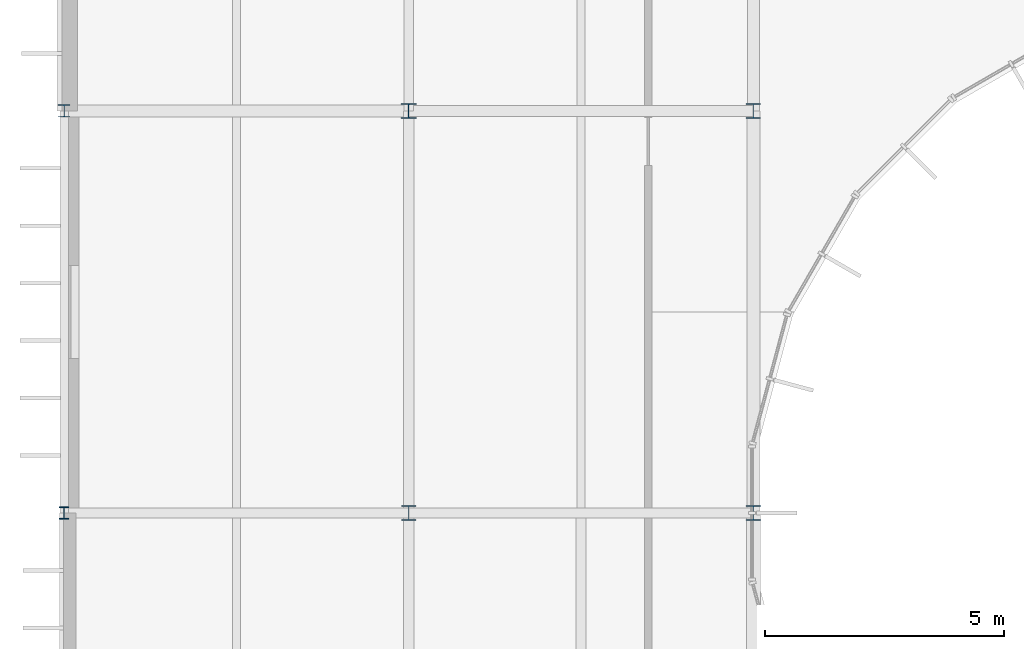
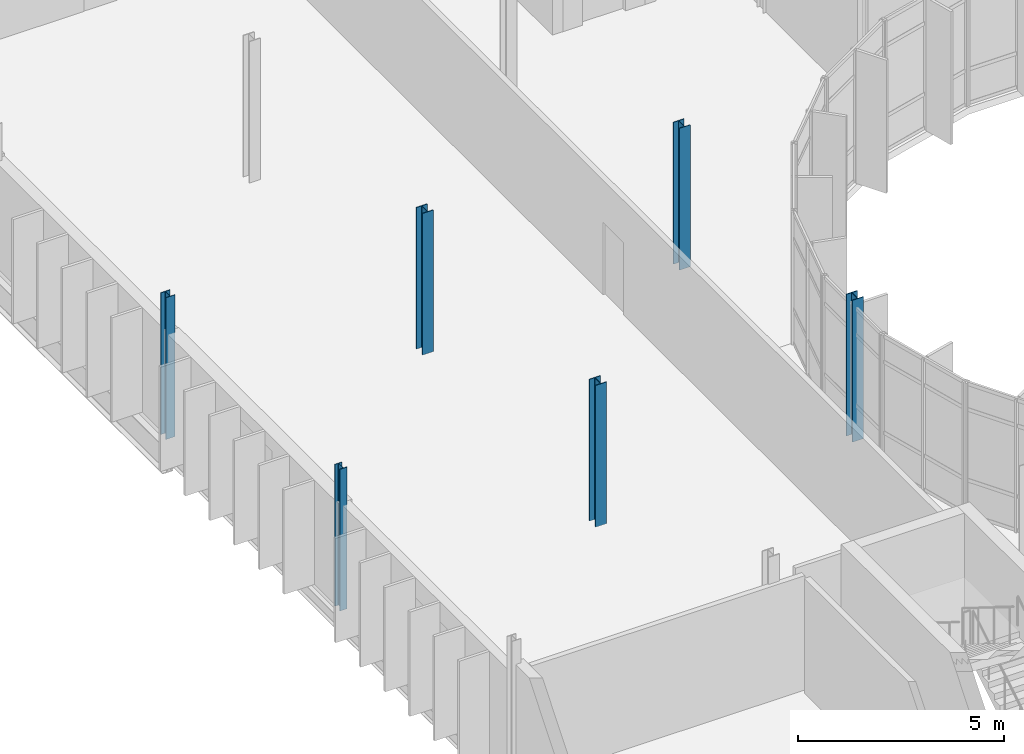
# One storey, part 6 of 61: 6 columns.
"""IFC4 building model written with IfcOpenShell, lengths in metres."""

from ifc_helpers import new_model, si_unit, direction, frame, origin, origin_2d, place, context, subcontext, project, spatial, i_section, extrude, material, material_profile, profile_set, type_object, element, save


model = new_model("IFC4")

# Units and contexts
model_context = context("Model", 3, precision=1e-05, world=origin(), true_north=direction((0.0, 1.0)))
body_context = subcontext(model_context, "Body", "Model", "MODEL_VIEW")
ifc_project = project(units=[si_unit("LENGTHUNIT", "METRE"), si_unit("AREAUNIT", "SQUARE_METRE"), si_unit("VOLUMEUNIT", "CUBIC_METRE"), si_unit("PLANEANGLEUNIT", "RADIAN"), si_unit("MASSUNIT", "GRAM", prefix="KILO")], contexts=[model_context])

# Site, building, storey
site_placement = place(None, origin())
site = spatial("IfcSite", under=ifc_project, at=site_placement, CompositionType="ELEMENT")
building_placement = place(site_placement, origin())
building = spatial("IfcBuilding", under=site, at=building_placement, Name="Qelthora Terrace Specialist Clinic", CompositionType="ELEMENT")
storey_placement = place(building_placement, frame((0.0, 0.0, 13.199951171875)))
storey = spatial("IfcBuildingStorey", under=building, at=storey_placement, Name="L03", CompositionType="ELEMENT", Elevation=13.199951171875)

# Columns
ifc_material = material(Name="Steel S355", Category="steel")
ifc_material_profile_1 = material_profile(ifc_material, i_section(OverallWidth=0.2041015625, OverallDepth=0.257080078125, WebThickness=0.0087890625, FlangeThickness=0.015625, FilletRadius=0.012939453125, at=origin_2d()), Name="W250X67")
ifc_profile_set_1 = profile_set([ifc_material_profile_1], Name="Steel S355")
column_type_1 = type_object("IfcColumnType", Name="COL-W250X67", PredefinedType="COLUMN", material=ifc_profile_set_1)
column_1_placement = place(storey_placement, frame((0.0, 84.0, 0.0), z_axis=(0.0, 0.0, 1.0), x_axis=(1.0, 0.0, 0.0)))
element("IfcColumn", 1, at=column_1_placement, inside=storey, type_object=column_type_1, Name="Column L03-011", PredefinedType="COLUMN", context=body_context, shape_type="SweptSolid", body=[
    extrude(i_section(OverallWidth=0.2041015625, OverallDepth=0.257080078125, WebThickness=0.0087890625, FlangeThickness=0.015625, FilletRadius=0.012939453125, at=origin_2d()), origin(), (0.0, 0.0, 1.0), 4.199951171875),
])
ifc_material_profile_2 = material_profile(ifc_material, i_section(OverallWidth=0.256103515625, OverallDepth=0.260009765625, WebThickness=0.0107421875, FlangeThickness=0.017333984375, FilletRadius=0.012939453125, at=origin_2d()), Name="W250X89")
ifc_profile_set_2 = profile_set([ifc_material_profile_2], Name="Steel S355")
column_type_2 = type_object("IfcColumnType", Name="COL-W250X89", PredefinedType="COLUMN", material=ifc_profile_set_2)
column_2_placement = place(storey_placement, frame((0.0, 92.39990234375, 0.0), z_axis=(0.0, 0.0, 1.0), x_axis=(1.0, 0.0, 0.0)))
element("IfcColumn", 2, at=column_2_placement, inside=storey, type_object=column_type_2, Name="Column L03-012", PredefinedType="COLUMN", context=body_context, shape_type="SweptSolid", body=[
    extrude(i_section(OverallWidth=0.256103515625, OverallDepth=0.260009765625, WebThickness=0.0107421875, FlangeThickness=0.017333984375, FilletRadius=0.012939453125, at=origin_2d()), origin(), (0.0, 0.0, 1.0), 4.199951171875),
])
ifc_material_profile_3 = material_profile(ifc_material, i_section(OverallWidth=0.305908203125, OverallDepth=0.31103515625, WebThickness=0.010986328125, FlangeThickness=0.01708984375, FilletRadius=0.014892578125, at=origin_2d()), Name="W310X107")
ifc_profile_set_3 = profile_set([ifc_material_profile_3], Name="Steel S355")
column_type_3 = type_object("IfcColumnType", Name="COL-W310X107", PredefinedType="COLUMN", material=ifc_profile_set_3)
column_3_placement = place(storey_placement, frame((14.39990234375, 92.39990234375, 0.0), z_axis=(0.0, 0.0, 1.0), x_axis=(1.0, 0.0, 0.0)))
element("IfcColumn", 3, at=column_3_placement, inside=storey, type_object=column_type_3, Name="Column L03-040", PredefinedType="COLUMN", context=body_context, shape_type="SweptSolid", body=[
    extrude(i_section(OverallWidth=0.305908203125, OverallDepth=0.31103515625, WebThickness=0.010986328125, FlangeThickness=0.01708984375, FilletRadius=0.014892578125, at=origin_2d()), origin(), (0.0, 0.0, 1.0), 4.199951171875),
])
ifc_material_profile_4 = material_profile(ifc_material, i_section(OverallWidth=0.30810546875, OverallDepth=0.318115234375, WebThickness=0.01318359375, FlangeThickness=0.0205078125, FilletRadius=0.01611328125, at=origin_2d()), Name="W310X129")
ifc_profile_set_4 = profile_set([ifc_material_profile_4], Name="Steel S355")
column_type_4 = type_object("IfcColumnType", Name="COL-W310X129", PredefinedType="COLUMN", material=ifc_profile_set_4)
for number, where, z_axis, x_axis, name in (
    (4, (7.199951171875, 84.0, 0.0), (0.0, 0.0, 1.0), (1.0, 0.0, 0.0), "Column L03-025"),
    (5, (14.39990234375, 84.0, 0.0), (0.0, 0.0, 1.0), (1.0, 0.0, 0.0), "Column L03-039"),
):
    element("IfcColumn", number, at=place(storey_placement, frame(where, z_axis=z_axis, x_axis=x_axis)), inside=storey, type_object=column_type_4, Name=name, PredefinedType="COLUMN", context=body_context, shape_type="SweptSolid", body=[
        extrude(i_section(OverallWidth=0.30810546875, OverallDepth=0.318115234375, WebThickness=0.01318359375, FlangeThickness=0.0205078125, FilletRadius=0.01611328125, at=origin_2d()), origin(), (0.0, 0.0, 1.0), 4.199951171875),
    ])
ifc_material_profile_5 = material_profile(ifc_material, i_section(OverallWidth=0.304931640625, OverallDepth=0.30810546875, WebThickness=0.010009765625, FlangeThickness=0.015380859375, FilletRadius=0.014892578125, at=origin_2d()), Name="W310X97")
ifc_profile_set_5 = profile_set([ifc_material_profile_5], Name="Steel S355")
column_type_5 = type_object("IfcColumnType", Name="COL-W310X97", PredefinedType="COLUMN", material=ifc_profile_set_5)
column_4_placement = place(storey_placement, frame((7.199951171875, 92.39990234375, 0.0), z_axis=(0.0, 0.0, 1.0), x_axis=(1.0, 0.0, 0.0)))
element("IfcColumn", 6, at=column_4_placement, inside=storey, type_object=column_type_5, Name="Column L03-026", PredefinedType="COLUMN", context=body_context, shape_type="SweptSolid", body=[
    extrude(i_section(OverallWidth=0.304931640625, OverallDepth=0.30810546875, WebThickness=0.010009765625, FlangeThickness=0.015380859375, FilletRadius=0.014892578125, at=origin_2d()), origin(), (0.0, 0.0, 1.0), 4.199951171875),
])

save(model, "model.ifc")
